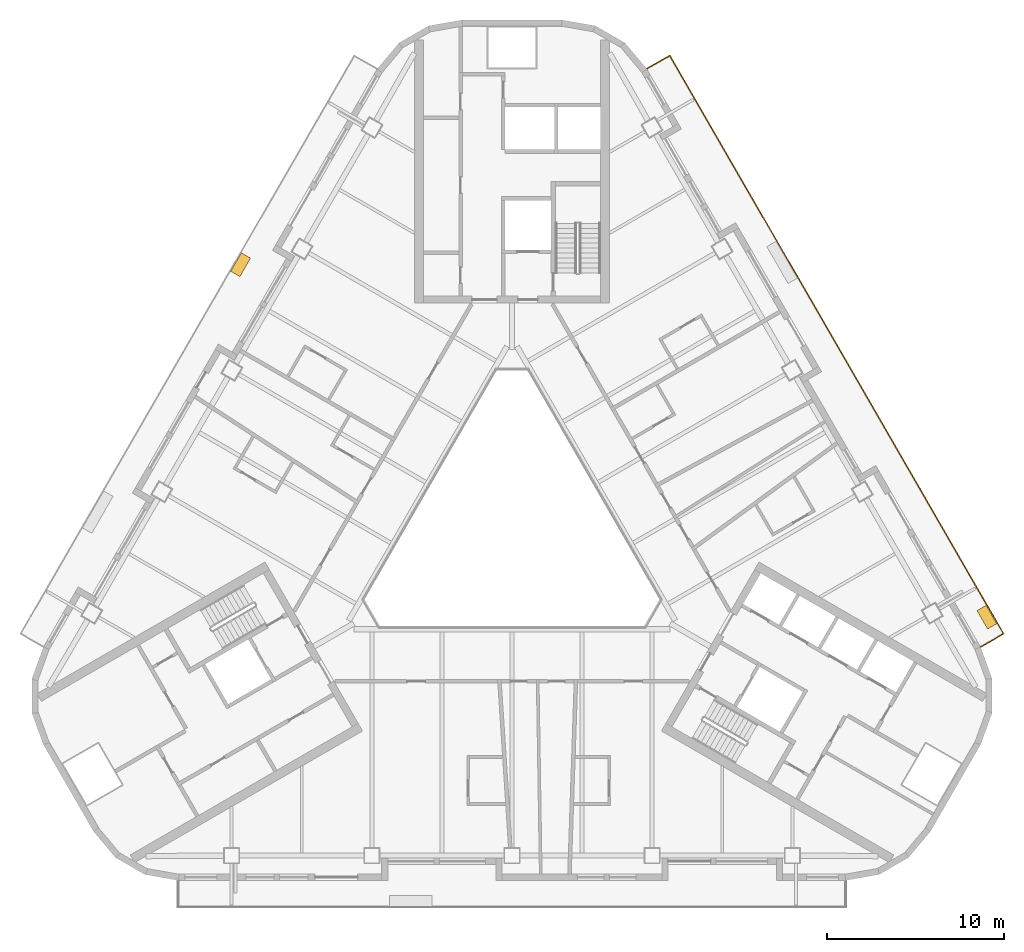
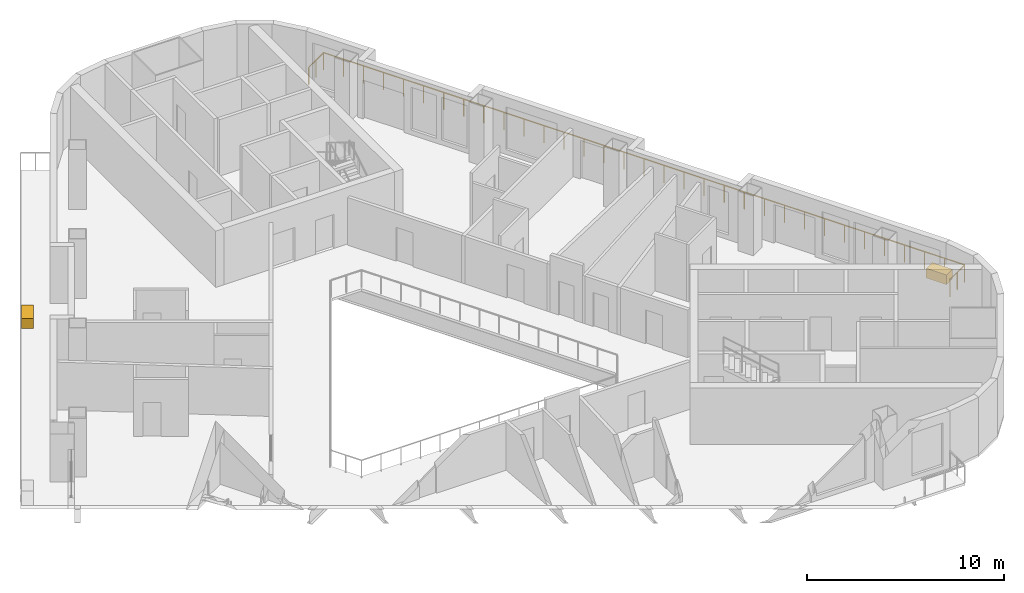
# One storey, part 13 of 14: 2 coverings, 1 railing.
"""IFC4 building model written with IfcOpenShell, lengths in metres."""

from ifc_helpers import new_model, si_unit, direction, frame, origin, origin_2d, place, context, subcontext, project, spatial, rectangle, extrude, material, type_object, element, save


model = new_model("IFC4")

# Units and contexts
model_context = context("Model", 3, precision=1e-05, world=origin(), true_north=direction((0.0, 1.0)))
body_context = subcontext(model_context, "Body", "Model", "MODEL_VIEW")
ifc_project = project(units=[si_unit("LENGTHUNIT", "METRE"), si_unit("AREAUNIT", "SQUARE_METRE"), si_unit("VOLUMEUNIT", "CUBIC_METRE"), si_unit("PLANEANGLEUNIT", "RADIAN"), si_unit("MASSUNIT", "GRAM", prefix="KILO")], contexts=[model_context])

# Site, building, storey
site_placement = place(None, origin())
site = spatial("IfcSite", under=ifc_project, at=site_placement, CompositionType="ELEMENT")
building_placement = place(site_placement, origin())
building = spatial("IfcBuilding", under=site, at=building_placement, Name="Apuvela Tower Hotel", CompositionType="ELEMENT")
storey_placement = place(building_placement, frame((0.0, 0.0, 109.39990234375)))
storey = spatial("IfcBuildingStorey", under=building, at=storey_placement, Name="L25", CompositionType="ELEMENT", Elevation=109.39990234375)

# Railing
ifc_material_1 = material(Name="Stainless steel 316 rail with laminated glass infill", Category="steel")
railing_type = type_object("IfcRailingType", Name="ENV-GUARD-1100", PredefinedType="GUARDRAIL", material=ifc_material_1)
railing_placement = place(storey_placement, frame((26.407958984375, -6.47998046875, 0.0)))
element("IfcRailing", 1, at=railing_placement, inside=storey, type_object=railing_type, Name="Balcony guard NE L25", PredefinedType="GUARDRAIL", context=body_context, shape_type="SweptSolid", body=[
    extrude(rectangle(XDim=0.050048828125, YDim=0.050048828125, at=origin_2d()), frame((0.0, 0.0, 1.0751953125), z_axis=(0.866031096941, 0.499990139034, 0.0), x_axis=(-0.499990139034, 0.866031096941, 0.0)), (0.0, 0.0, 1.0), 1.5),
    extrude(rectangle(XDim=0.050048828125, YDim=0.050048828125, at=origin_2d()), frame((1.299072265625, 0.75, 1.0751953125), z_axis=(-0.500000437506, 0.86602515119, 0.0), x_axis=(-0.86602515119, -0.500000437506, 0.0)), (0.0, 0.0, 1.0), 37.6318359375),
    extrude(rectangle(XDim=0.050048828125, YDim=0.050048828125, at=origin_2d()), frame((-17.516845703125, 33.340087890625, 1.0751953125), z_axis=(-0.86599040064, -0.500060622324, 0.0), x_axis=(0.500060622324, -0.86599040064, 0.0)), (0.0, 0.0, 1.0), 1.499755859375),
    extrude(rectangle(XDim=0.0400390625, YDim=0.0400390625, at=origin_2d()), origin(), (0.0, 0.0, 1.0), 1.050048828125),
    extrude(rectangle(XDim=0.0400390625, YDim=0.0400390625, at=origin_2d()), frame((0.6494140625, 0.375, 0.0)), (0.0, 0.0, 1.0), 1.050048828125),
    extrude(rectangle(XDim=0.0400390625, YDim=0.0400390625, at=origin_2d()), frame((1.299072265625, 0.75, 0.0)), (0.0, 0.0, 1.0), 1.050048828125),
    extrude(rectangle(XDim=0.0400390625, YDim=0.0400390625, at=origin_2d()), frame((0.711181640625, 1.7685546875, 0.0)), (0.0, 0.0, 1.0), 1.050048828125),
    extrude(rectangle(XDim=0.0400390625, YDim=0.0400390625, at=origin_2d()), frame((0.123046875, 2.786865234375, 0.0)), (0.0, 0.0, 1.0), 1.050048828125),
    extrude(rectangle(XDim=0.0400390625, YDim=0.0400390625, at=origin_2d()), frame((-0.46484375, 3.805419921875, 0.0)), (0.0, 0.0, 1.0), 1.050048828125),
    extrude(rectangle(XDim=0.0400390625, YDim=0.0400390625, at=origin_2d()), frame((-1.052978515625, 4.82373046875, 0.0)), (0.0, 0.0, 1.0), 1.050048828125),
    extrude(rectangle(XDim=0.0400390625, YDim=0.0400390625, at=origin_2d()), frame((-1.640869140625, 5.84228515625, 0.0)), (0.0, 0.0, 1.0), 1.050048828125),
    extrude(rectangle(XDim=0.0400390625, YDim=0.0400390625, at=origin_2d()), frame((-2.22900390625, 6.860595703125, 0.0)), (0.0, 0.0, 1.0), 1.050048828125),
    extrude(rectangle(XDim=0.0400390625, YDim=0.0400390625, at=origin_2d()), frame((-2.81689453125, 7.879150390625, 0.0)), (0.0, 0.0, 1.0), 1.050048828125),
    extrude(rectangle(XDim=0.0400390625, YDim=0.0400390625, at=origin_2d()), frame((-3.40478515625, 8.8974609375, 0.0)), (0.0, 0.0, 1.0), 1.050048828125),
    extrude(rectangle(XDim=0.0400390625, YDim=0.0400390625, at=origin_2d()), frame((-3.992919921875, 9.916015625, 0.0)), (0.0, 0.0, 1.0), 1.050048828125),
    extrude(rectangle(XDim=0.0400390625, YDim=0.0400390625, at=origin_2d()), frame((-4.580810546875, 10.934326171875, 0.0)), (0.0, 0.0, 1.0), 1.050048828125),
    extrude(rectangle(XDim=0.0400390625, YDim=0.0400390625, at=origin_2d()), frame((-5.1689453125, 11.952880859375, 0.0)), (0.0, 0.0, 1.0), 1.050048828125),
    extrude(rectangle(XDim=0.0400390625, YDim=0.0400390625, at=origin_2d()), frame((-5.7568359375, 12.97119140625, 0.0)), (0.0, 0.0, 1.0), 1.050048828125),
    extrude(rectangle(XDim=0.0400390625, YDim=0.0400390625, at=origin_2d()), frame((-6.344970703125, 13.98974609375, 0.0)), (0.0, 0.0, 1.0), 1.050048828125),
    extrude(rectangle(XDim=0.0400390625, YDim=0.0400390625, at=origin_2d()), frame((-6.932861328125, 15.008056640625, 0.0)), (0.0, 0.0, 1.0), 1.050048828125),
    extrude(rectangle(XDim=0.0400390625, YDim=0.0400390625, at=origin_2d()), frame((-7.52099609375, 16.026611328125, 0.0)), (0.0, 0.0, 1.0), 1.050048828125),
    extrude(rectangle(XDim=0.0400390625, YDim=0.0400390625, at=origin_2d()), frame((-8.10888671875, 17.044921875, 0.0)), (0.0, 0.0, 1.0), 1.050048828125),
    extrude(rectangle(XDim=0.0400390625, YDim=0.0400390625, at=origin_2d()), frame((-8.69677734375, 18.0634765625, 0.0)), (0.0, 0.0, 1.0), 1.050048828125),
    extrude(rectangle(XDim=0.0400390625, YDim=0.0400390625, at=origin_2d()), frame((-9.284912109375, 19.08203125, 0.0)), (0.0, 0.0, 1.0), 1.050048828125),
    extrude(rectangle(XDim=0.0400390625, YDim=0.0400390625, at=origin_2d()), frame((-9.872802734375, 20.100341796875, 0.0)), (0.0, 0.0, 1.0), 1.050048828125),
    extrude(rectangle(XDim=0.0400390625, YDim=0.0400390625, at=origin_2d()), frame((-10.4609375, 21.118896484375, 0.0)), (0.0, 0.0, 1.0), 1.050048828125),
    extrude(rectangle(XDim=0.0400390625, YDim=0.0400390625, at=origin_2d()), frame((-11.048828125, 22.13720703125, 0.0)), (0.0, 0.0, 1.0), 1.050048828125),
    extrude(rectangle(XDim=0.0400390625, YDim=0.0400390625, at=origin_2d()), frame((-11.636962890625, 23.15576171875, 0.0)), (0.0, 0.0, 1.0), 1.050048828125),
    extrude(rectangle(XDim=0.0400390625, YDim=0.0400390625, at=origin_2d()), frame((-12.224853515625, 24.174072265625, 0.0)), (0.0, 0.0, 1.0), 1.050048828125),
    extrude(rectangle(XDim=0.0400390625, YDim=0.0400390625, at=origin_2d()), frame((-12.81298828125, 25.192626953125, 0.0)), (0.0, 0.0, 1.0), 1.050048828125),
    extrude(rectangle(XDim=0.0400390625, YDim=0.0400390625, at=origin_2d()), frame((-13.40087890625, 26.2109375, 0.0)), (0.0, 0.0, 1.0), 1.050048828125),
    extrude(rectangle(XDim=0.0400390625, YDim=0.0400390625, at=origin_2d()), frame((-13.98876953125, 27.2294921875, 0.0)), (0.0, 0.0, 1.0), 1.050048828125),
    extrude(rectangle(XDim=0.0400390625, YDim=0.0400390625, at=origin_2d()), frame((-14.576904296875, 28.247802734375, 0.0)), (0.0, 0.0, 1.0), 1.050048828125),
    extrude(rectangle(XDim=0.0400390625, YDim=0.0400390625, at=origin_2d()), frame((-15.164794921875, 29.266357421875, 0.0)), (0.0, 0.0, 1.0), 1.050048828125),
    extrude(rectangle(XDim=0.0400390625, YDim=0.0400390625, at=origin_2d()), frame((-15.7529296875, 30.28466796875, 0.0)), (0.0, 0.0, 1.0), 1.050048828125),
    extrude(rectangle(XDim=0.0400390625, YDim=0.0400390625, at=origin_2d()), frame((-16.3408203125, 31.30322265625, 0.0)), (0.0, 0.0, 1.0), 1.050048828125),
    extrude(rectangle(XDim=0.0400390625, YDim=0.0400390625, at=origin_2d()), frame((-16.928955078125, 32.321533203125, 0.0)), (0.0, 0.0, 1.0), 1.050048828125),
    extrude(rectangle(XDim=0.0400390625, YDim=0.0400390625, at=origin_2d()), frame((-17.516845703125, 33.340087890625, 0.0)), (0.0, 0.0, 1.0), 1.050048828125),
    extrude(rectangle(XDim=0.0400390625, YDim=0.0400390625, at=origin_2d()), frame((-18.166259765625, 32.965087890625, 0.0)), (0.0, 0.0, 1.0), 1.050048828125),
    extrude(rectangle(XDim=0.0400390625, YDim=0.0400390625, at=origin_2d()), frame((-18.815673828125, 32.590087890625, 0.0)), (0.0, 0.0, 1.0), 1.050048828125),
])

# Coverings
ifc_material_2 = material(Name="Planting substrate and soil, planted")
covering_type = type_object("IfcCoveringType", Name="ENV-PLANTER-1200x600", PredefinedType="USERDEFINED", material=ifc_material_2)
for number, where, z_axis, x_axis, name in (
    (2, (26.763916015625, -4.79638671875, 0.0), (0.0, 0.0, 1.0), (-0.5, 0.866025403784, 0.0), "Planter NE2"),
    (3, (-15.2958984375, 15.066650390625, 0.0), (0.0, 0.0, 1.0), (-0.5, -0.866025403784, 0.0), "Planter NW4"),
):
    element("IfcCovering", number, at=place(storey_placement, frame(where, z_axis=z_axis, x_axis=x_axis)), inside=storey, type_object=covering_type, Name=name, ObjectType="PLANTER", PredefinedType="USERDEFINED", context=body_context, shape_type="SweptSolid", body=[
        extrude(rectangle(XDim=1.199951171875, YDim=0.60009765625, at=origin_2d()), origin(), (0.0, 0.0, 1.0), 0.60009765625),
    ])

save(model, "model.ifc")
